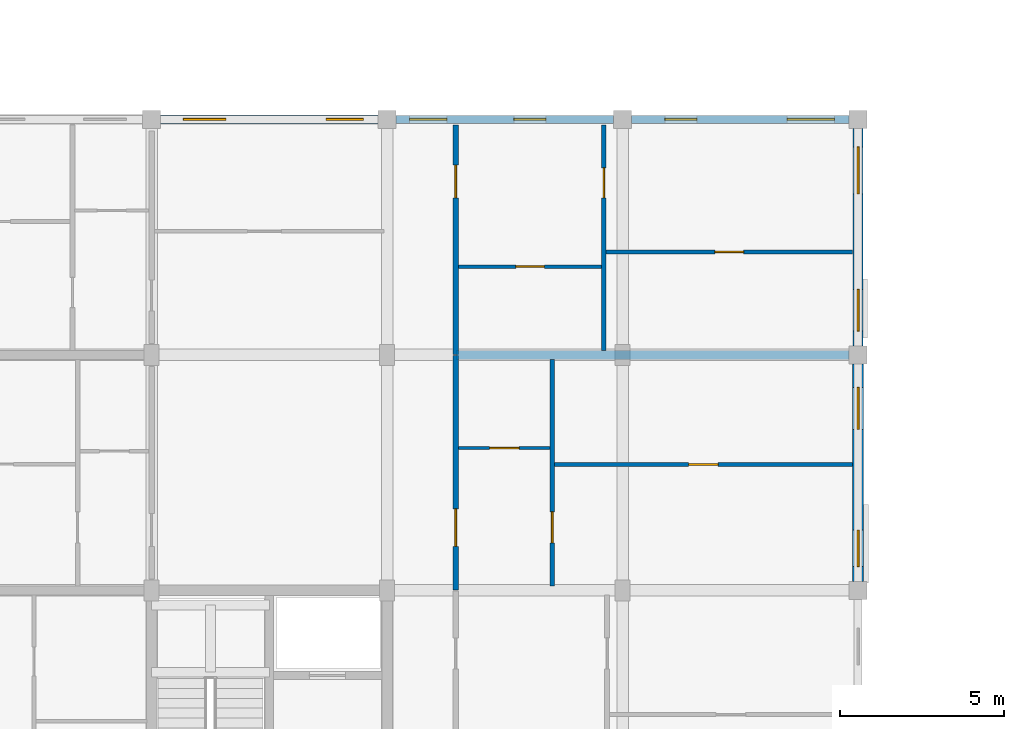
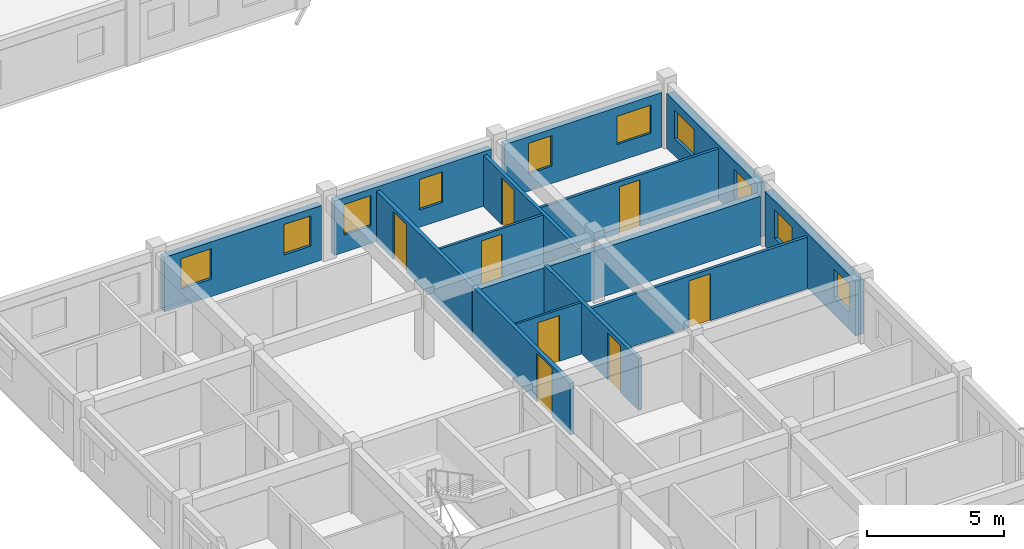
# One storey, part 54 of 77: 14 walls, 10 windows, 8 doors, 18 openings.
"""IFC4 building model written with IfcOpenShell, lengths in metres."""

from ifc_helpers import new_model, si_unit, direction, frame, frame_2d, origin, place, context, subcontext, project, spatial, rectangle, extrude, material, layer, layer_set, type_object, element, fill, save


model = new_model("IFC4")

# Units and contexts
model_context = context("Model", 3, precision=1e-05, world=origin(), true_north=direction((0.0, 1.0)))
body_context = subcontext(model_context, "Body", "Model", "MODEL_VIEW")
ifc_project = project(units=[si_unit("LENGTHUNIT", "METRE"), si_unit("AREAUNIT", "SQUARE_METRE"), si_unit("VOLUMEUNIT", "CUBIC_METRE"), si_unit("PLANEANGLEUNIT", "RADIAN"), si_unit("MASSUNIT", "GRAM", prefix="KILO"), si_unit("THERMODYNAMICTEMPERATUREUNIT", "KELVIN"), si_unit("POWERUNIT", "WATT")], contexts=[model_context])

# Site, building, storey
site_placement = place(None, origin())
site = spatial("IfcSite", under=ifc_project, at=site_placement, CompositionType="ELEMENT")
building_placement = place(site_placement, origin())
building = spatial("IfcBuilding", under=site, at=building_placement, Name="Tavuni Mirador Residences", CompositionType="ELEMENT")
storey_placement = place(building_placement, frame((0.0, 0.0, 10.800048828125)))
storey = spatial("IfcBuildingStorey", under=building, at=storey_placement, Name="L03", CompositionType="ELEMENT", Elevation=10.800048828125)

# Wall, opening, door
ifc_material_1 = material(Name="Precast concrete C40/50", Category="concrete")
ifc_layer_1 = layer(ifc_material_1, 0.1650390625, Name="Precast concrete C40/50", Category="concrete")
ifc_layer_set_1 = layer_set([ifc_layer_1], Name="Precast concrete C40/50")
wall_type_1 = type_object("IfcWallType", Name="WT-CORR165", PredefinedType="PARTITIONING", material=ifc_layer_set_1)
wall_1_placement = place(storey_placement, frame((20.10009765625, 36.02001953125, 0.0), z_axis=(0.0, 0.0, 1.0), x_axis=(0.0, 1.0, 0.0)))
wall_1 = element("IfcWall", 1, at=wall_1_placement, inside=storey, type_object=wall_type_1, Name="CORW-BLK-A-L03-0-04", PredefinedType="PARTITIONING", context=body_context, shape_type="SweptSolid", body=[
    extrude(rectangle(XDim=7.159912109375, YDim=0.1650390625, at=frame_2d((3.580078125, 0.0))), origin(), (0.0, 0.0, 1.0), 2.304931640625),
])
opening_1_placement = place(wall_1_placement, frame((1.330078125, 0.0, 0.0)))
opening_1 = element("IfcOpeningElement", 2, at=opening_1_placement, cuts=wall_1, Name="Opening D-20", PredefinedType="OPENING", context=body_context, shape_type="SweptSolid", body=[
    extrude(rectangle(XDim=1.139892578125, YDim=2.179931640625, at=frame_2d((0.56982421875, 1.08984375))), frame((0.0, 0.092529296875, 0.0), z_axis=(0.0, -1.0, 0.0), x_axis=(1.0, 0.0, 0.0)), (0.0, 0.0, 1.0), 0.18505859375),
])
ifc_material_2 = material(Name="Solid core iroko timber", Category="wood")
door_type_1 = type_object("IfcDoorType", Name="DT-FD60-1140", OperationType="NOTDEFINED", PredefinedType="DOOR", material=ifc_material_2)
door_1_placement = place(opening_1_placement, origin())
door_1 = element("IfcDoor", 3, at=door_1_placement, inside=storey, type_object=door_type_1, Name="DR-2417", OperationType="SINGLE_SWING_RIGHT", OverallHeight=2.179931640625, OverallWidth=1.139892578125, PredefinedType="DOOR", context=body_context, shape_type="SweptSolid", body=[
    extrude(rectangle(XDim=1.139892578125, YDim=2.179931640625, at=frame_2d((0.56982421875, 1.08984375))), frame((0.0, 0.02490234375, 0.0), z_axis=(0.0, -1.0, 0.0), x_axis=(1.0, 0.0, 0.0)), (0.0, 0.0, 1.0), 0.050048828125),
])
fill(opening_1, door_1)

wall_2_placement = place(storey_placement, frame((20.10009765625, 43.219970703125, 0.0), z_axis=(0.0, 0.0, 1.0), x_axis=(0.0, 1.0, 0.0)))
wall_2 = element("IfcWall", 4, at=wall_2_placement, inside=storey, type_object=wall_type_1, Name="CORW-BLK-A-L03-0-05", PredefinedType="PARTITIONING", context=body_context, shape_type="SweptSolid", body=[
    extrude(rectangle(XDim=7.005126953125, YDim=0.1650390625, at=frame_2d((3.50244140625, 0.0))), origin(), (0.0, 0.0, 1.0), 2.304931640625),
])
opening_2_placement = place(wall_2_placement, frame((4.780029296875, 0.0, 0.0)))
opening_2 = element("IfcOpeningElement", 5, at=opening_2_placement, cuts=wall_2, Name="Opening D-03", PredefinedType="OPENING", context=body_context, shape_type="SweptSolid", body=[
    extrude(rectangle(XDim=1.0, YDim=2.14990234375, at=frame_2d((0.5, 1.074951171875))), frame((0.0, 0.092529296875, 0.0), z_axis=(0.0, -1.0, 0.0), x_axis=(1.0, 0.0, 0.0)), (0.0, 0.0, 1.0), 0.18505859375),
])
door_type_2 = type_object("IfcDoorType", Name="DT-FD60-1000", OperationType="NOTDEFINED", PredefinedType="DOOR", material=ifc_material_2)
door_2_placement = place(opening_2_placement, origin())
door_2 = element("IfcDoor", 6, at=door_2_placement, inside=storey, type_object=door_type_2, Name="DR-2418", OperationType="SINGLE_SWING_LEFT", OverallHeight=2.14990234375, OverallWidth=1.0, PredefinedType="DOOR", context=body_context, shape_type="SweptSolid", body=[
    extrude(rectangle(XDim=1.0, YDim=2.14990234375, at=frame_2d((0.5, 1.074951171875))), frame((0.0, 0.02490234375, 0.0), z_axis=(0.0, -1.0, 0.0), x_axis=(1.0, 0.0, 0.0)), (0.0, 0.0, 1.0), 0.050048828125),
])
fill(opening_2, door_2)

# Wall, openings, windows
ifc_layer_2 = layer(ifc_material_1, 0.330078125, Name="Precast concrete C40/50", Category="concrete")
ifc_layer_set_2 = layer_set([ifc_layer_2], Name="Precast concrete C40/50")
wall_type_2 = type_object("IfcWallType", Name="WT-EXT-COR330", PredefinedType="SOLIDWALL", material=ifc_layer_set_2)
wall_3_placement = place(storey_placement, frame((32.39990234375, 36.27490234375, 0.0), z_axis=(0.0, 0.0, 1.0), x_axis=(0.0, 1.0, 0.0)))
wall_3 = element("IfcWall", 7, at=wall_3_placement, inside=storey, type_object=wall_type_2, Name="EW-BLK-A-L03-E04", PredefinedType="SOLIDWALL", context=body_context, shape_type="SweptSolid", body=[
    extrude(rectangle(XDim=6.650146484375, YDim=0.330078125, at=frame_2d((3.3251953125, 0.0))), origin(), (0.0, 0.0, 1.0), 2.43994140625),
])
opening_3_placement = place(wall_3_placement, frame((0.449951171875, 0.0, 0.780029296875)))
opening_3 = element("IfcOpeningElement", 8, at=opening_3_placement, cuts=wall_3, Name="Opening WN-12", PredefinedType="OPENING", context=body_context, shape_type="SweptSolid", body=[
    extrude(rectangle(XDim=1.1201171875, YDim=1.260009765625, at=frame_2d((0.56005859375, 0.6298828125))), frame((0.0, 0.175048828125, 0.0), z_axis=(0.0, -1.0, 0.0), x_axis=(1.0, 0.0, 0.0)), (0.0, 0.0, 1.0), 0.35009765625),
])
opening_4_placement = place(wall_3_placement, frame((4.64990234375, 0.0, 0.780029296875)))
opening_4 = element("IfcOpeningElement", 9, at=opening_4_placement, cuts=wall_3, Name="Opening WN-14", PredefinedType="OPENING", context=body_context, shape_type="SweptSolid", body=[
    extrude(rectangle(XDim=1.280029296875, YDim=1.260009765625, at=frame_2d((0.64013671875, 0.6298828125))), frame((0.0, 0.175048828125, 0.0), z_axis=(0.0, -1.0, 0.0), x_axis=(1.0, 0.0, 0.0)), (0.0, 0.0, 1.0), 0.35009765625),
])
ifc_material_3 = material(Name="Laminated solar-control glass", Category="glass")
window_type_1 = type_object("IfcWindowType", Name="WNT-12", PartitioningType="SINGLE_PANEL", PredefinedType="WINDOW", material=ifc_material_3)
window_1_placement = place(opening_3_placement, origin())
window_1 = element("IfcWindow", 10, at=window_1_placement, inside=storey, type_object=window_type_1, Name="WIN-0128", OverallHeight=1.260009765625, OverallWidth=1.1201171875, PartitioningType="SINGLE_PANEL", PredefinedType="WINDOW", context=body_context, shape_type="SweptSolid", body=[
    extrude(rectangle(XDim=1.1201171875, YDim=1.260009765625, at=frame_2d((0.56005859375, 0.6298828125))), frame((0.0, 0.030029296875, 0.0), z_axis=(0.0, -1.0, 0.0), x_axis=(1.0, 0.0, 0.0)), (0.0, 0.0, 1.0), 0.06005859375),
])
fill(opening_3, window_1)
window_type_2 = type_object("IfcWindowType", Name="WNT-14", PartitioningType="SINGLE_PANEL", PredefinedType="WINDOW", material=ifc_material_3)
window_2_placement = place(opening_4_placement, origin())
window_2 = element("IfcWindow", 11, at=window_2_placement, inside=storey, type_object=window_type_2, Name="WIN-0129", OverallHeight=1.260009765625, OverallWidth=1.280029296875, PartitioningType="SINGLE_PANEL", PredefinedType="WINDOW", context=body_context, shape_type="SweptSolid", body=[
    extrude(rectangle(XDim=1.280029296875, YDim=1.260009765625, at=frame_2d((0.64013671875, 0.6298828125))), frame((0.0, 0.030029296875, 0.0), z_axis=(0.0, -1.0, 0.0), x_axis=(1.0, 0.0, 0.0)), (0.0, 0.0, 1.0), 0.06005859375),
])
fill(opening_4, window_2)

ifc_material_4 = material(Name="Sgraffito lime-rendered precast concrete C40/50", Category="concrete")
ifc_layer_3 = layer(ifc_material_4, 0.2451171875, Name="Sgraffito lime-rendered precast concrete C40/50", Category="concrete")
ifc_layer_set_3 = layer_set([ifc_layer_3], Name="Sgraffito lime-rendered precast concrete C40/50")
wall_type_3 = type_object("IfcWallType", Name="WT-EXT-PC245", PredefinedType="SOLIDWALL", material=ifc_layer_set_3)
wall_4_placement = place(storey_placement, frame((32.125, 50.39990234375, 0.0), z_axis=(0.0, 0.0, 1.0), x_axis=(-1.0, 0.0, 0.0)))
wall_4 = element("IfcWall", 12, at=wall_4_placement, inside=storey, type_object=wall_type_3, Name="EW-BLK-A-L03-N03", PredefinedType="SOLIDWALL", context=body_context, shape_type="SweptSolid", body=[
    extrude(rectangle(XDim=6.64990234375, YDim=0.2451171875, at=frame_2d((3.324951171875, 0.0))), origin(), (0.0, 0.0, 1.0), 2.43994140625),
])
opening_5_placement = place(wall_4_placement, frame((0.449951171875, 0.0, 0.780029296875)))
opening_5 = element("IfcOpeningElement", 13, at=opening_5_placement, cuts=wall_4, Name="Opening WN-16", PredefinedType="OPENING", context=body_context, shape_type="SweptSolid", body=[
    extrude(rectangle(XDim=1.43994140625, YDim=1.260009765625, at=frame_2d((0.719970703125, 0.6298828125))), frame((0.0, 0.132568359375, 0.0), z_axis=(0.0, -1.0, 0.0), x_axis=(1.0, 0.0, 0.0)), (0.0, 0.0, 1.0), 0.26513671875),
])
opening_6_placement = place(wall_4_placement, frame((4.64990234375, 0.0, 0.780029296875)))
opening_6 = element("IfcOpeningElement", 14, at=opening_6_placement, cuts=wall_4, Name="Opening WN-18", PredefinedType="OPENING", context=body_context, shape_type="SweptSolid", body=[
    extrude(rectangle(XDim=0.97998046875, YDim=1.360107421875, at=frame_2d((0.489990234375, 0.68017578125))), frame((0.0, 0.132568359375, 0.0), z_axis=(0.0, -1.0, 0.0), x_axis=(1.0, 0.0, 0.0)), (0.0, 0.0, 1.0), 0.26513671875),
])
window_type_3 = type_object("IfcWindowType", Name="WNT-16", PartitioningType="SINGLE_PANEL", PredefinedType="WINDOW", material=ifc_material_3)
window_3_placement = place(opening_5_placement, origin())
window_3 = element("IfcWindow", 15, at=window_3_placement, inside=storey, type_object=window_type_3, Name="WIN-0132", OverallHeight=1.260009765625, OverallWidth=1.43994140625, PartitioningType="SINGLE_PANEL", PredefinedType="WINDOW", context=body_context, shape_type="SweptSolid", body=[
    extrude(rectangle(XDim=1.43994140625, YDim=1.260009765625, at=frame_2d((0.719970703125, 0.6298828125))), frame((0.0, 0.030029296875, 0.0), z_axis=(0.0, -1.0, 0.0), x_axis=(1.0, 0.0, 0.0)), (0.0, 0.0, 1.0), 0.06005859375),
])
fill(opening_5, window_3)
window_type_4 = type_object("IfcWindowType", Name="WNT-18", PartitioningType="SINGLE_PANEL", PredefinedType="WINDOW", material=ifc_material_3)
window_4_placement = place(opening_6_placement, origin())
window_4 = element("IfcWindow", 16, at=window_4_placement, inside=storey, type_object=window_type_4, Name="WIN-0133", OverallHeight=1.360107421875, OverallWidth=0.97998046875, PartitioningType="SINGLE_PANEL", PredefinedType="WINDOW", context=body_context, shape_type="SweptSolid", body=[
    extrude(rectangle(XDim=0.97998046875, YDim=1.360107421875, at=frame_2d((0.489990234375, 0.68017578125))), frame((0.0, 0.030029296875, 0.0), z_axis=(0.0, -1.0, 0.0), x_axis=(1.0, 0.0, 0.0)), (0.0, 0.0, 1.0), 0.06005859375),
])
fill(opening_6, window_4)

ifc_layer_4 = layer(ifc_material_4, 0.2548828125, Name="Sgraffito lime-rendered precast concrete C40/50", Category="concrete")
ifc_layer_set_4 = layer_set([ifc_layer_4], Name="Sgraffito lime-rendered precast concrete C40/50")
wall_type_4 = type_object("IfcWallType", Name="WT-EXT-PC255", PredefinedType="SOLIDWALL", material=ifc_layer_set_4)
wall_5_placement = place(storey_placement, frame((24.925048828125, 50.39990234375, 0.0), z_axis=(0.0, 0.0, 1.0), x_axis=(-1.0, 0.0, 0.0)))
wall_5 = element("IfcWall", 17, at=wall_5_placement, inside=storey, type_object=wall_type_4, Name="EW-BLK-A-L03-N02", PredefinedType="SOLIDWALL", context=body_context, shape_type="SweptSolid", body=[
    extrude(rectangle(XDim=6.650146484375, YDim=0.2548828125, at=frame_2d((3.3251953125, 0.0))), origin(), (0.0, 0.0, 1.0), 2.43994140625),
])
opening_7_placement = place(wall_5_placement, frame((2.070068359375, 0.0, 0.780029296875)))
opening_7 = element("IfcOpeningElement", 18, at=opening_7_placement, cuts=wall_5, Name="Opening WN-18", PredefinedType="OPENING", context=body_context, shape_type="SweptSolid", body=[
    extrude(rectangle(XDim=0.97998046875, YDim=1.360107421875, at=frame_2d((0.489990234375, 0.68017578125))), frame((0.0, 0.137451171875, 0.0), z_axis=(0.0, -1.0, 0.0), x_axis=(1.0, 0.0, 0.0)), (0.0, 0.0, 1.0), 0.27490234375),
])
opening_8_placement = place(wall_5_placement, frame((5.097412109375, 0.0, 0.780029296875)))
opening_8 = element("IfcOpeningElement", 19, at=opening_8_placement, cuts=wall_5, Name="Opening WN-20", PredefinedType="OPENING", context=body_context, shape_type="SweptSolid", body=[
    extrude(rectangle(XDim=1.139892578125, YDim=1.360107421875, at=frame_2d((0.56982421875, 0.68017578125))), frame((0.0, 0.137451171875, 0.0), z_axis=(0.0, -1.0, 0.0), x_axis=(1.0, 0.0, 0.0)), (0.0, 0.0, 1.0), 0.27490234375),
])
window_5_placement = place(opening_7_placement, origin())
window_5 = element("IfcWindow", 20, at=window_5_placement, inside=storey, type_object=window_type_4, Name="WIN-0134", OverallHeight=1.360107421875, OverallWidth=0.97998046875, PartitioningType="SINGLE_PANEL", PredefinedType="WINDOW", context=body_context, shape_type="SweptSolid", body=[
    extrude(rectangle(XDim=0.97998046875, YDim=1.360107421875, at=frame_2d((0.489990234375, 0.68017578125))), frame((0.0, 0.030029296875, 0.0), z_axis=(0.0, -1.0, 0.0), x_axis=(1.0, 0.0, 0.0)), (0.0, 0.0, 1.0), 0.06005859375),
])
fill(opening_7, window_5)
window_type_5 = type_object("IfcWindowType", Name="WNT-20", PartitioningType="SINGLE_PANEL", PredefinedType="WINDOW", material=ifc_material_3)
window_6_placement = place(opening_8_placement, origin())
window_6 = element("IfcWindow", 21, at=window_6_placement, inside=storey, type_object=window_type_5, Name="WIN-0135", OverallHeight=1.360107421875, OverallWidth=1.139892578125, PartitioningType="SINGLE_PANEL", PredefinedType="WINDOW", context=body_context, shape_type="SweptSolid", body=[
    extrude(rectangle(XDim=1.139892578125, YDim=1.360107421875, at=frame_2d((0.56982421875, 0.68017578125))), frame((0.0, 0.030029296875, 0.0), z_axis=(0.0, -1.0, 0.0), x_axis=(1.0, 0.0, 0.0)), (0.0, 0.0, 1.0), 0.06005859375),
])
fill(opening_8, window_6)

ifc_layer_5 = layer(ifc_material_4, 0.27490234375, Name="Sgraffito lime-rendered precast concrete C40/50", Category="concrete")
ifc_layer_set_5 = layer_set([ifc_layer_5], Name="Sgraffito lime-rendered precast concrete C40/50")
wall_type_5 = type_object("IfcWallType", Name="WT-EXT-PC275", PredefinedType="SOLIDWALL", material=ifc_layer_set_5)
wall_6_placement = place(storey_placement, frame((17.72509765625, 50.39990234375, 0.0), z_axis=(0.0, 0.0, 1.0), x_axis=(-1.0, 0.0, 0.0)))
wall_6 = element("IfcWall", 22, at=wall_6_placement, inside=storey, type_object=wall_type_5, Name="EW-BLK-A-L03-N01", PredefinedType="SOLIDWALL", context=body_context, shape_type="SweptSolid", body=[
    extrude(rectangle(XDim=6.650146484375, YDim=0.27490234375, at=frame_2d((3.3251953125, 0.0))), origin(), (0.0, 0.0, 1.0), 2.43994140625),
])
opening_9_placement = place(wall_6_placement, frame((0.449951171875, 0.0, 0.780029296875)))
opening_9 = element("IfcOpeningElement", 23, at=opening_9_placement, cuts=wall_6, Name="Opening WN-20", PredefinedType="OPENING", context=body_context, shape_type="SweptSolid", body=[
    extrude(rectangle(XDim=1.139892578125, YDim=1.360107421875, at=frame_2d((0.56982421875, 0.68017578125))), frame((0.0, 0.1474609375, 0.0), z_axis=(0.0, -1.0, 0.0), x_axis=(1.0, 0.0, 0.0)), (0.0, 0.0, 1.0), 0.294921875),
])
opening_10_placement = place(wall_6_placement, frame((4.64990234375, 0.0, 0.780029296875)))
opening_10 = element("IfcOpeningElement", 24, at=opening_10_placement, cuts=wall_6, Name="Opening WN-22", PredefinedType="OPENING", context=body_context, shape_type="SweptSolid", body=[
    extrude(rectangle(XDim=1.300048828125, YDim=1.360107421875, at=frame_2d((0.64990234375, 0.68017578125))), frame((0.0, 0.1474609375, 0.0), z_axis=(0.0, -1.0, 0.0), x_axis=(1.0, 0.0, 0.0)), (0.0, 0.0, 1.0), 0.294921875),
])
window_7_placement = place(opening_9_placement, origin())
window_7 = element("IfcWindow", 25, at=window_7_placement, inside=storey, type_object=window_type_5, Name="WIN-0136", OverallHeight=1.360107421875, OverallWidth=1.139892578125, PartitioningType="SINGLE_PANEL", PredefinedType="WINDOW", context=body_context, shape_type="SweptSolid", body=[
    extrude(rectangle(XDim=1.139892578125, YDim=1.360107421875, at=frame_2d((0.56982421875, 0.68017578125))), frame((0.0, 0.030029296875, 0.0), z_axis=(0.0, -1.0, 0.0), x_axis=(1.0, 0.0, 0.0)), (0.0, 0.0, 1.0), 0.06005859375),
])
fill(opening_9, window_7)
window_type_6 = type_object("IfcWindowType", Name="WNT-22", PartitioningType="SINGLE_PANEL", PredefinedType="WINDOW", material=ifc_material_3)
window_8_placement = place(opening_10_placement, origin())
window_8 = element("IfcWindow", 26, at=window_8_placement, inside=storey, type_object=window_type_6, Name="WIN-0137", OverallHeight=1.360107421875, OverallWidth=1.300048828125, PartitioningType="SINGLE_PANEL", PredefinedType="WINDOW", context=body_context, shape_type="SweptSolid", body=[
    extrude(rectangle(XDim=1.300048828125, YDim=1.360107421875, at=frame_2d((0.64990234375, 0.68017578125))), frame((0.0, 0.030029296875, 0.0), z_axis=(0.0, -1.0, 0.0), x_axis=(1.0, 0.0, 0.0)), (0.0, 0.0, 1.0), 0.06005859375),
])
fill(opening_10, window_8)

ifc_layer_6 = layer(ifc_material_4, 0.31494140625, Name="Sgraffito lime-rendered precast concrete C40/50", Category="concrete")
ifc_layer_set_6 = layer_set([ifc_layer_6], Name="Sgraffito lime-rendered precast concrete C40/50")
wall_type_6 = type_object("IfcWallType", Name="WT-EXT-PC315", PredefinedType="SOLIDWALL", material=ifc_layer_set_6)
wall_7_placement = place(storey_placement, frame((32.39990234375, 43.47509765625, 0.0), z_axis=(0.0, 0.0, 1.0), x_axis=(0.0, 1.0, 0.0)))
wall_7 = element("IfcWall", 27, at=wall_7_placement, inside=storey, type_object=wall_type_6, Name="EW-BLK-A-L03-E05", PredefinedType="SOLIDWALL", context=body_context, shape_type="SweptSolid", body=[
    extrude(rectangle(XDim=6.64990234375, YDim=0.31494140625, at=frame_2d((3.324951171875, 0.0))), origin(), (0.0, 0.0, 1.0), 2.43994140625),
])
opening_11_placement = place(wall_7_placement, frame((0.449951171875, 0.0, 0.780029296875)))
opening_11 = element("IfcOpeningElement", 28, at=opening_11_placement, cuts=wall_7, Name="Opening WN-14", PredefinedType="OPENING", context=body_context, shape_type="SweptSolid", body=[
    extrude(rectangle(XDim=1.280029296875, YDim=1.260009765625, at=frame_2d((0.64013671875, 0.6298828125))), frame((0.0, 0.16748046875, 0.0), z_axis=(0.0, -1.0, 0.0), x_axis=(1.0, 0.0, 0.0)), (0.0, 0.0, 1.0), 0.3349609375),
])
opening_12_placement = place(wall_7_placement, frame((4.64990234375, 0.0, 0.780029296875)))
opening_12 = element("IfcOpeningElement", 29, at=opening_12_placement, cuts=wall_7, Name="Opening WN-16", PredefinedType="OPENING", context=body_context, shape_type="SweptSolid", body=[
    extrude(rectangle(XDim=1.43994140625, YDim=1.260009765625, at=frame_2d((0.719970703125, 0.6298828125))), frame((0.0, 0.16748046875, 0.0), z_axis=(0.0, -1.0, 0.0), x_axis=(1.0, 0.0, 0.0)), (0.0, 0.0, 1.0), 0.3349609375),
])
window_9_placement = place(opening_11_placement, origin())
window_9 = element("IfcWindow", 30, at=window_9_placement, inside=storey, type_object=window_type_2, Name="WIN-0130", OverallHeight=1.260009765625, OverallWidth=1.280029296875, PartitioningType="SINGLE_PANEL", PredefinedType="WINDOW", context=body_context, shape_type="SweptSolid", body=[
    extrude(rectangle(XDim=1.280029296875, YDim=1.260009765625, at=frame_2d((0.64013671875, 0.6298828125))), frame((0.0, 0.030029296875, 0.0), z_axis=(0.0, -1.0, 0.0), x_axis=(1.0, 0.0, 0.0)), (0.0, 0.0, 1.0), 0.06005859375),
])
fill(opening_11, window_9)
window_10_placement = place(opening_12_placement, origin())
window_10 = element("IfcWindow", 31, at=window_10_placement, inside=storey, type_object=window_type_3, Name="WIN-0131", OverallHeight=1.260009765625, OverallWidth=1.43994140625, PartitioningType="SINGLE_PANEL", PredefinedType="WINDOW", context=body_context, shape_type="SweptSolid", body=[
    extrude(rectangle(XDim=1.43994140625, YDim=1.260009765625, at=frame_2d((0.719970703125, 0.6298828125))), frame((0.0, 0.030029296875, 0.0), z_axis=(0.0, -1.0, 0.0), x_axis=(1.0, 0.0, 0.0)), (0.0, 0.0, 1.0), 0.06005859375),
])
fill(opening_12, window_10)

# Wall, opening, door
ifc_material_5 = material(Name="Acoustic gypsum and concrete block partition", Category="concrete")
ifc_layer_7 = layer(ifc_material_5, 0.094970703125, Name="Acoustic gypsum and concrete block partition", Category="concrete")
ifc_layer_set_7 = layer_set([ifc_layer_7], Name="Acoustic gypsum and concrete block partition")
wall_type_7 = type_object("IfcWallType", Name="WT-PART095", PredefinedType="PARTITIONING", material=ifc_layer_set_7)
wall_8_placement = place(storey_placement, frame((20.18994140625, 40.35009765625, 0.0), z_axis=(0.0, 0.0, 1.0), x_axis=(1.0, 0.0, 0.0)))
wall_8 = element("IfcWall", 32, at=wall_8_placement, inside=storey, type_object=wall_type_7, Name="PW-BLK-A-L03-E04-IN1", PredefinedType="PARTITIONING", context=body_context, shape_type="SweptSolid", body=[
    extrude(rectangle(XDim=2.7900390625, YDim=0.094970703125, at=frame_2d((1.39501953125, 0.0))), origin(), (0.0, 0.0, 1.0), 2.304931640625),
])
opening_13_placement = place(wall_8_placement, frame((0.945068359375, 0.0, 0.0)))
opening_13 = element("IfcOpeningElement", 33, at=opening_13_placement, cuts=wall_8, Name="Opening D-09", PredefinedType="OPENING", context=body_context, shape_type="SweptSolid", body=[
    extrude(rectangle(XDim=0.89990234375, YDim=2.050048828125, at=frame_2d((0.449951171875, 1.02490234375))), frame((0.0, 0.0576171875, 0.0), z_axis=(0.0, -1.0, 0.0), x_axis=(1.0, 0.0, 0.0)), (0.0, 0.0, 1.0), 0.114990234375),
])
door_type_3 = type_object("IfcDoorType", Name="DT-WC900", OperationType="NOTDEFINED", PredefinedType="DOOR", material=ifc_material_2)
door_3_placement = place(opening_13_placement, origin())
door_3 = element("IfcDoor", 34, at=door_3_placement, inside=storey, type_object=door_type_3, Name="DR-3053", OperationType="SINGLE_SWING_RIGHT", OverallHeight=2.050048828125, OverallWidth=0.89990234375, PredefinedType="DOOR", context=body_context, shape_type="SweptSolid", body=[
    extrude(rectangle(XDim=0.89990234375, YDim=2.050048828125, at=frame_2d((0.449951171875, 1.02490234375))), frame((0.0, 0.02490234375, 0.0), z_axis=(0.0, -1.0, 0.0), x_axis=(1.0, 0.0, 0.0)), (0.0, 0.0, 1.0), 0.050048828125),
])
fill(opening_13, door_3)

ifc_layer_8 = layer(ifc_material_5, 0.10498046875, Name="Acoustic gypsum and concrete block partition", Category="concrete")
ifc_layer_set_8 = layer_set([ifc_layer_8], Name="Acoustic gypsum and concrete block partition")
wall_type_8 = type_object("IfcWallType", Name="WT-PART105", PredefinedType="PARTITIONING", material=ifc_layer_set_8)
wall_9_placement = place(storey_placement, frame((20.18994140625, 45.89990234375, 0.0), z_axis=(0.0, 0.0, 1.0), x_axis=(1.0, 0.0, 0.0)))
wall_9 = element("IfcWall", 35, at=wall_9_placement, inside=storey, type_object=wall_type_8, Name="PW-BLK-A-L03-E05-IN1", PredefinedType="PARTITIONING", context=body_context, shape_type="SweptSolid", body=[
    extrude(rectangle(XDim=4.3701171875, YDim=0.10498046875, at=frame_2d((2.18505859375, 0.0))), origin(), (0.0, 0.0, 1.0), 2.304931640625),
])
opening_14_placement = place(wall_9_placement, frame((1.75, 0.0, 0.0)))
opening_14 = element("IfcOpeningElement", 36, at=opening_14_placement, cuts=wall_9, Name="Opening D-10", PredefinedType="OPENING", context=body_context, shape_type="SweptSolid", body=[
    extrude(rectangle(XDim=0.8701171875, YDim=2.050048828125, at=frame_2d((0.43505859375, 1.02490234375))), frame((0.0, 0.0625, 0.0), z_axis=(0.0, -1.0, 0.0), x_axis=(1.0, 0.0, 0.0)), (0.0, 0.0, 1.0), 0.125),
])
door_type_4 = type_object("IfcDoorType", Name="DT-WC870", OperationType="NOTDEFINED", PredefinedType="DOOR", material=ifc_material_2)
door_4_placement = place(opening_14_placement, origin())
door_4 = element("IfcDoor", 37, at=door_4_placement, inside=storey, type_object=door_type_4, Name="DR-3060", OperationType="SINGLE_SWING_LEFT", OverallHeight=2.050048828125, OverallWidth=0.8701171875, PredefinedType="DOOR", context=body_context, shape_type="SweptSolid", body=[
    extrude(rectangle(XDim=0.8701171875, YDim=2.050048828125, at=frame_2d((0.43505859375, 1.02490234375))), frame((0.0, 0.02490234375, 0.0), z_axis=(0.0, -1.0, 0.0), x_axis=(1.0, 0.0, 0.0)), (0.0, 0.0, 1.0), 0.050048828125),
])
fill(opening_14, door_4)

ifc_layer_9 = layer(ifc_material_5, 0.114990234375, Name="Acoustic gypsum and concrete block partition", Category="concrete")
ifc_layer_set_9 = layer_set([ifc_layer_9], Name="Acoustic gypsum and concrete block partition")
wall_type_9 = type_object("IfcWallType", Name="WT-PART115", PredefinedType="PARTITIONING", material=ifc_layer_set_9)
wall_10_placement = place(storey_placement, frame((24.699951171875, 46.35009765625, 0.0), z_axis=(0.0, 0.0, 1.0), x_axis=(1.0, 0.0, 0.0)))
wall_10 = element("IfcWall", 38, at=wall_10_placement, inside=storey, type_object=wall_type_9, Name="PW-BLK-A-L03-E05-OUT", PredefinedType="PARTITIONING", context=body_context, shape_type="SweptSolid", body=[
    extrude(rectangle(XDim=7.525146484375, YDim=0.114990234375, at=frame_2d((3.7626953125, 0.0))), origin(), (0.0, 0.0, 1.0), 2.304931640625),
])
opening_15_placement = place(wall_10_placement, frame((3.322509765625, 0.0, 0.0)))
opening_15 = element("IfcOpeningElement", 39, at=opening_15_placement, cuts=wall_10, Name="Opening D-08", PredefinedType="OPENING", context=body_context, shape_type="SweptSolid", body=[
    extrude(rectangle(XDim=0.8798828125, YDim=2.080078125, at=frame_2d((0.43994140625, 1.0400390625))), frame((0.0, 0.0673828125, 0.0), z_axis=(0.0, -1.0, 0.0), x_axis=(1.0, 0.0, 0.0)), (0.0, 0.0, 1.0), 0.135009765625),
])
door_type_5 = type_object("IfcDoorType", Name="DT-BED880", OperationType="NOTDEFINED", PredefinedType="DOOR", material=ifc_material_2)
door_5_placement = place(opening_15_placement, origin())
door_5 = element("IfcDoor", 40, at=door_5_placement, inside=storey, type_object=door_type_5, Name="DR-3059", OperationType="SINGLE_SWING_RIGHT", OverallHeight=2.080078125, OverallWidth=0.8798828125, PredefinedType="DOOR", context=body_context, shape_type="SweptSolid", body=[
    extrude(rectangle(XDim=0.8798828125, YDim=2.080078125, at=frame_2d((0.43994140625, 1.0400390625))), frame((0.0, 0.02490234375, 0.0), z_axis=(0.0, -1.0, 0.0), x_axis=(1.0, 0.0, 0.0)), (0.0, 0.0, 1.0), 0.050048828125),
])
fill(opening_15, door_5)

ifc_layer_10 = layer(ifc_material_5, 0.125, Name="Acoustic gypsum and concrete block partition", Category="concrete")
ifc_layer_set_10 = layer_set([ifc_layer_10], Name="Acoustic gypsum and concrete block partition")
wall_type_10 = type_object("IfcWallType", Name="WT-PART125", PredefinedType="PARTITIONING", material=ifc_layer_set_10)
wall_11_placement = place(storey_placement, frame((23.1201171875, 39.85009765625, 0.0), z_axis=(0.0, 0.0, 1.0), x_axis=(1.0, 0.0, 0.0)))
wall_11 = element("IfcWall", 41, at=wall_11_placement, inside=storey, type_object=wall_type_10, Name="PW-BLK-A-L03-E04-OUT", PredefinedType="PARTITIONING", context=body_context, shape_type="SweptSolid", body=[
    extrude(rectangle(XDim=9.10498046875, YDim=0.125, at=frame_2d((4.552490234375, 0.0))), origin(), (0.0, 0.0, 1.0), 2.304931640625),
])
opening_16_placement = place(wall_11_placement, frame((4.1025390625, 0.0, 0.0)))
opening_16 = element("IfcOpeningElement", 42, at=opening_16_placement, cuts=wall_11, Name="Opening D-07", PredefinedType="OPENING", context=body_context, shape_type="SweptSolid", body=[
    extrude(rectangle(XDim=0.89990234375, YDim=2.10009765625, at=frame_2d((0.449951171875, 1.050048828125))), frame((0.0, 0.072509765625, 0.0), z_axis=(0.0, -1.0, 0.0), x_axis=(1.0, 0.0, 0.0)), (0.0, 0.0, 1.0), 0.14501953125),
])
door_type_6 = type_object("IfcDoorType", Name="DT-BED900", OperationType="NOTDEFINED", PredefinedType="DOOR", material=ifc_material_2)
door_6_placement = place(opening_16_placement, origin())
door_6 = element("IfcDoor", 43, at=door_6_placement, inside=storey, type_object=door_type_6, Name="DR-3052", OperationType="SINGLE_SWING_LEFT", OverallHeight=2.10009765625, OverallWidth=0.89990234375, PredefinedType="DOOR", context=body_context, shape_type="SweptSolid", body=[
    extrude(rectangle(XDim=0.89990234375, YDim=2.10009765625, at=frame_2d((0.449951171875, 1.050048828125))), frame((0.0, 0.02490234375, 0.0), z_axis=(0.0, -1.0, 0.0), x_axis=(1.0, 0.0, 0.0)), (0.0, 0.0, 1.0), 0.050048828125),
])
fill(opening_16, door_6)

ifc_layer_11 = layer(ifc_material_5, 0.139892578125, Name="Acoustic gypsum and concrete block partition", Category="concrete")
ifc_layer_set_11 = layer_set([ifc_layer_11], Name="Acoustic gypsum and concrete block partition")
wall_type_11 = type_object("IfcWallType", Name="WT-PART140", PredefinedType="PARTITIONING", material=ifc_layer_set_11)
wall_12_placement = place(storey_placement, frame((24.6298828125, 43.340087890625, 0.0), z_axis=(0.0, 0.0, 1.0), x_axis=(0.0, 1.0, 0.0)))
wall_12 = element("IfcWall", 44, at=wall_12_placement, inside=storey, type_object=wall_type_11, Name="PW-BLK-A-L03-E05-MID", PredefinedType="PARTITIONING", context=body_context, shape_type="SweptSolid", body=[
    extrude(rectangle(XDim=6.885009765625, YDim=0.139892578125, at=frame_2d((3.4423828125, 0.0))), origin(), (0.0, 0.0, 1.0), 2.304931640625),
])
opening_17_placement = place(wall_12_placement, frame((4.659912109375, 0.0, 0.0)))
opening_17 = element("IfcOpeningElement", 45, at=opening_17_placement, cuts=wall_12, Name="Opening D-06", PredefinedType="OPENING", context=body_context, shape_type="SweptSolid", body=[
    extrude(rectangle(XDim=0.919921875, YDim=2.10009765625, at=frame_2d((0.4599609375, 1.050048828125))), frame((0.0, 0.080078125, 0.0), z_axis=(0.0, -1.0, 0.0), x_axis=(1.0, 0.0, 0.0)), (0.0, 0.0, 1.0), 0.159912109375),
])
door_type_7 = type_object("IfcDoorType", Name="DT-INT920", OperationType="NOTDEFINED", PredefinedType="DOOR", material=ifc_material_2)
door_7_placement = place(opening_17_placement, origin())
door_7 = element("IfcDoor", 46, at=door_7_placement, inside=storey, type_object=door_type_7, Name="DR-3061", OperationType="SINGLE_SWING_RIGHT", OverallHeight=2.10009765625, OverallWidth=0.919921875, PredefinedType="DOOR", context=body_context, shape_type="SweptSolid", body=[
    extrude(rectangle(XDim=0.919921875, YDim=2.10009765625, at=frame_2d((0.4599609375, 1.050048828125))), frame((0.0, 0.02490234375, 0.0), z_axis=(0.0, -1.0, 0.0), x_axis=(1.0, 0.0, 0.0)), (0.0, 0.0, 1.0), 0.050048828125),
])
fill(opening_17, door_7)

ifc_layer_12 = layer(ifc_material_5, 0.14990234375, Name="Acoustic gypsum and concrete block partition", Category="concrete")
ifc_layer_set_12 = layer_set([ifc_layer_12], Name="Acoustic gypsum and concrete block partition")
wall_type_12 = type_object("IfcWallType", Name="WT-PART150", PredefinedType="PARTITIONING", material=ifc_layer_set_12)
wall_13_placement = place(storey_placement, frame((23.050048828125, 36.139892578125, 0.0), z_axis=(0.0, 0.0, 1.0), x_axis=(0.0, 1.0, 0.0)))
wall_13 = element("IfcWall", 47, at=wall_13_placement, inside=storey, type_object=wall_type_12, Name="PW-BLK-A-L03-E04-MID", PredefinedType="PARTITIONING", context=body_context, shape_type="SweptSolid", body=[
    extrude(rectangle(XDim=6.920166015625, YDim=0.14990234375, at=frame_2d((3.4599609375, 0.0))), origin(), (0.0, 0.0, 1.0), 2.304931640625),
])
opening_18_placement = place(wall_13_placement, frame((1.31005859375, 0.0, 0.0)))
opening_18 = element("IfcOpeningElement", 48, at=opening_18_placement, cuts=wall_13, Name="Opening D-05", PredefinedType="OPENING", context=body_context, shape_type="SweptSolid", body=[
    extrude(rectangle(XDim=0.949951171875, YDim=2.10009765625, at=frame_2d((0.47509765625, 1.050048828125))), frame((0.0, 0.0849609375, 0.0), z_axis=(0.0, -1.0, 0.0), x_axis=(1.0, 0.0, 0.0)), (0.0, 0.0, 1.0), 0.169921875),
])
door_type_8 = type_object("IfcDoorType", Name="DT-INT950", OperationType="NOTDEFINED", PredefinedType="DOOR", material=ifc_material_2)
door_8_placement = place(opening_18_placement, origin())
door_8 = element("IfcDoor", 49, at=door_8_placement, inside=storey, type_object=door_type_8, Name="DR-3054", OperationType="SINGLE_SWING_LEFT", OverallHeight=2.10009765625, OverallWidth=0.949951171875, PredefinedType="DOOR", context=body_context, shape_type="SweptSolid", body=[
    extrude(rectangle(XDim=0.949951171875, YDim=2.10009765625, at=frame_2d((0.47509765625, 1.050048828125))), frame((0.0, 0.02490234375, 0.0), z_axis=(0.0, -1.0, 0.0), x_axis=(1.0, 0.0, 0.0)), (0.0, 0.0, 1.0), 0.050048828125),
])
fill(opening_18, door_8)

# Wall
ifc_layer_13 = layer(ifc_material_1, 0.264892578125, Name="Precast concrete C40/50", Category="concrete")
ifc_layer_set_13 = layer_set([ifc_layer_13], Name="Precast concrete C40/50")
wall_type_13 = type_object("IfcWallType", Name="WT-XW265", PredefinedType="SOLIDWALL", material=ifc_layer_set_13)
wall_14_placement = place(storey_placement, frame((20.10009765625, 43.199951171875, 0.0), z_axis=(0.0, 0.0, 1.0), x_axis=(1.0, 0.0, 0.0)))
element("IfcWall", 50, at=wall_14_placement, inside=storey, type_object=wall_type_13, Name="XW-BLK-A-L03-E-05", PredefinedType="SOLIDWALL", context=body_context, shape_type="SweptSolid", body=[
    extrude(rectangle(XDim=12.02490234375, YDim=0.264892578125, at=frame_2d((6.012451171875, 0.0))), origin(), (0.0, 0.0, 1.0), 2.169921875),
])

save(model, "model.ifc")
